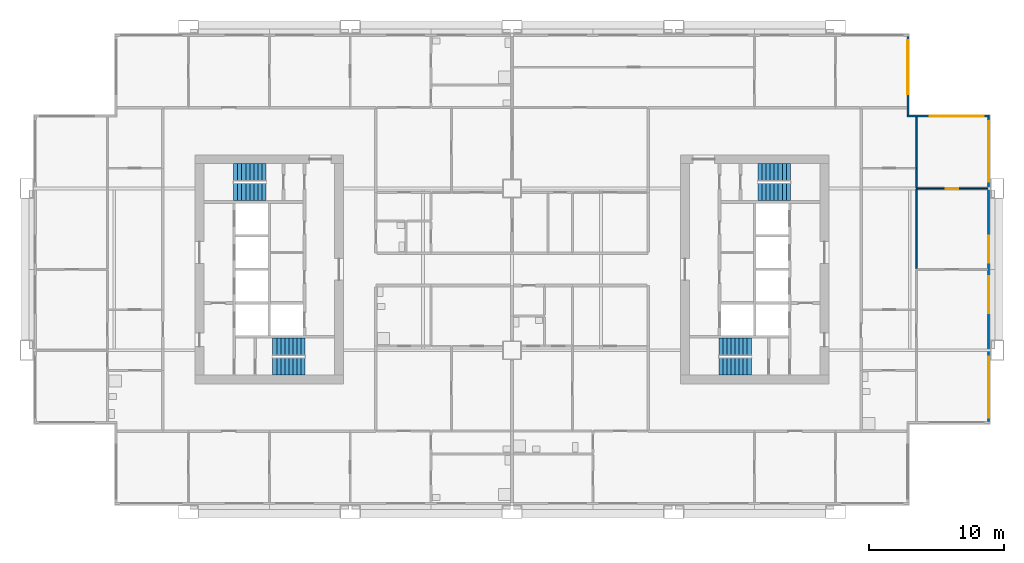
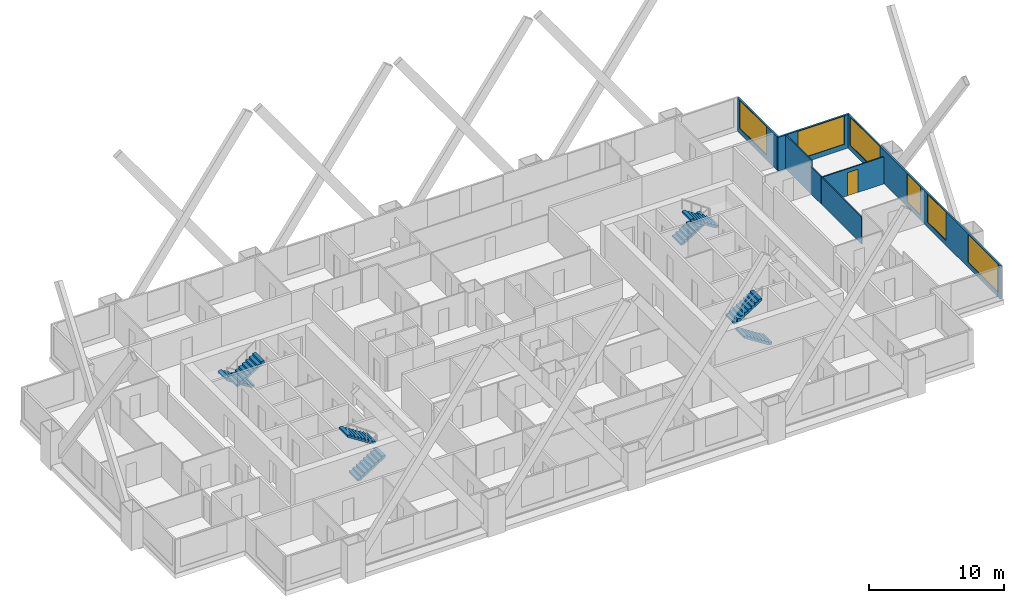
# One storey, part 9 of 11: 8 stair flights, 7 walls, 6 windows, 1 door, 7 openings, 4 elements without a shape of their own.
"""IFC4 building model written with IfcOpenShell, lengths in metres."""

from ifc_helpers import new_model, si_unit, direction, frame, frame_2d, origin, place, context, subcontext, project, spatial, polyline, rectangle, outline, extrude, material, layer, layer_set, type_object, element, fill, aggregate, save


model = new_model("IFC4")

# Units and contexts
model_context = context("Model", 3, precision=1e-05, world=origin(), true_north=direction((0.0, 1.0)))
body_context = subcontext(model_context, "Body", "Model", "MODEL_VIEW")
ifc_project = project(units=[si_unit("LENGTHUNIT", "METRE"), si_unit("AREAUNIT", "SQUARE_METRE"), si_unit("VOLUMEUNIT", "CUBIC_METRE"), si_unit("PLANEANGLEUNIT", "RADIAN"), si_unit("MASSUNIT", "GRAM", prefix="KILO")], contexts=[model_context])

# Site, building, storey
site_placement = place(None, origin())
site = spatial("IfcSite", under=ifc_project, at=site_placement, CompositionType="ELEMENT")
building_placement = place(site_placement, origin())
building = spatial("IfcBuilding", under=site, at=building_placement, Name="Kitamizu Gate Tower and Museum", CompositionType="ELEMENT")
storey_placement = place(building_placement, frame((0.0, 0.0, 96.60009765625)))
storey = spatial("IfcBuildingStorey", under=building, at=storey_placement, Name="L24", CompositionType="ELEMENT", Elevation=96.60009765625)

# Wall, opening, door
ifc_material_1 = material(Name="Gypsum board on galvanised stud")
ifc_layer_1 = layer(ifc_material_1, 0.10009765625)
ifc_layer_set_1 = layer_set([ifc_layer_1], Name="Gypsum board on galvanised stud")
wall_type_1 = type_object("IfcWallType", Name="Partition 100 NOT RATED", PredefinedType="PARTITIONING", material=ifc_layer_set_1)
wall_1_placement = place(storey_placement, frame((71.280029296875, 36.0, 0.0), z_axis=(0.0, 0.0, 1.0), x_axis=(-1.0, 0.0, 0.0)))
wall_1 = element("IfcWall", 1, at=wall_1_placement, inside=storey, type_object=wall_type_1, Name="Partition L24-079", PredefinedType="PARTITIONING", context=body_context, shape_type="SweptSolid", body=[
    extrude(rectangle(XDim=5.280029296875, YDim=0.10009765625, at=frame_2d((2.64013671875, 0.0))), origin(), (0.0, 0.0, 1.0), 2.449951171875),
])
opening_1_placement = place(wall_1_placement, frame((2.18994140625, 0.0, 0.0)))
opening_1 = element("IfcOpeningElement", 2, at=opening_1_placement, cuts=wall_1, Name="Opening L24-034", PredefinedType="OPENING", context=body_context, shape_type="SweptSolid", body=[
    extrude(rectangle(XDim=0.89990234375, YDim=2.10009765625, at=frame_2d((0.449951171875, 1.050048828125))), frame((0.0, 0.06005859375, 0.0), z_axis=(0.0, -1.0, 0.0), x_axis=(1.0, 0.0, 0.0)), (0.0, 0.0, 1.0), 0.1201171875),
])
ifc_material_2 = material(Name="Timber door set", Category="wood")
door_type = type_object("IfcDoorType", Name="Room door 900", OperationType="NOTDEFINED", PredefinedType="DOOR", material=ifc_material_2)
door_placement = place(opening_1_placement, frame((0.89990234375, 0.0, 0.0), x_axis=(-1.0, 0.0, 0.0)))
door = element("IfcDoor", 3, at=door_placement, inside=storey, type_object=door_type, Name="Door L24-034", OperationType="SINGLE_SWING_LEFT", OverallHeight=2.10009765625, OverallWidth=0.89990234375, PredefinedType="DOOR", context=body_context, shape_type="SweptSolid", body=[
    extrude(rectangle(XDim=0.89990234375, YDim=2.10009765625, at=frame_2d((0.449951171875, 1.050048828125))), frame((0.0, 0.02490234375, 0.0), z_axis=(0.0, -1.0, 0.0), x_axis=(1.0, 0.0, 0.0)), (0.0, 0.0, 1.0), 0.050048828125),
])
fill(opening_1, door)

# Walls
wall_2_placement = place(storey_placement, frame((66.0, 35.949951171875, 0.0), z_axis=(0.0, 0.0, 1.0), x_axis=(0.0, -1.0, 0.0)))
element("IfcWall", 4, at=wall_2_placement, inside=storey, type_object=wall_type_1, Name="Partition L24-080", PredefinedType="PARTITIONING", context=body_context, shape_type="SweptSolid", body=[
    extrude(rectangle(XDim=5.89990234375, YDim=0.10009765625, at=frame_2d((2.949951171875, 0.0))), origin(), (0.0, 0.0, 1.0), 2.449951171875),
])
wall_3_placement = place(storey_placement, frame((66.0, 37.5, 0.0), z_axis=(0.0, 0.0, 1.0), x_axis=(0.0, -1.0, 0.0)))
element("IfcWall", 5, at=wall_3_placement, inside=storey, type_object=wall_type_1, Name="Partition L24-081", PredefinedType="PARTITIONING", context=body_context, shape_type="SweptSolid", body=[
    extrude(rectangle(XDim=1.449951171875, YDim=0.10009765625, at=frame_2d((0.72509765625, 0.0))), origin(), (0.0, 0.0, 1.0), 2.449951171875),
])
wall_4_placement = place(storey_placement, frame((66.0, 41.280029296875, 0.0), z_axis=(0.0, 0.0, 1.0), x_axis=(0.0, -1.0, 0.0)))
element("IfcWall", 6, at=wall_4_placement, inside=storey, type_object=wall_type_1, Name="Partition L24-082", PredefinedType="PARTITIONING", context=body_context, shape_type="SweptSolid", body=[
    extrude(rectangle(XDim=3.780029296875, YDim=0.10009765625, at=frame_2d((1.89013671875, 0.0))), origin(), (0.0, 0.0, 1.0), 3.0498046875),
])

# Wall, openings, windows
ifc_material_3 = material(Name="Bronze anodised aluminium frame with insulated spandrel and tinted glass", Category="aluminium")
ifc_layer_2 = layer(ifc_material_3, 0.14990234375)
ifc_layer_set_2 = layer_set([ifc_layer_2], Name="Bronze anodised aluminium frame with insulated spandrel and tinted glass")
wall_type_2 = type_object("IfcWallType", Name="WINDOW WALL 150 BRONZE FRAME EI 30", PredefinedType="ELEMENTEDWALL", material=ifc_layer_set_2)
wall_5_placement = place(storey_placement, frame((71.364990234375, 18.7099609375, 0.0), z_axis=(0.0, 0.0, 1.0), x_axis=(0.0, 1.0, 0.0)))
wall_5 = element("IfcWall", 7, at=wall_5_placement, inside=storey, type_object=wall_type_2, Name="Window wall east L24", PredefinedType="ELEMENTEDWALL", context=body_context, shape_type="SweptSolid", body=[
    extrude(rectangle(XDim=22.580078125, YDim=0.14990234375, at=frame_2d((11.2900390625, 0.0))), origin(), (0.0, 0.0, 1.0), 3.0498046875),
])
opening_2_placement = place(wall_5_placement, frame((0.2900390625, 0.0, 0.449951171875)))
opening_2 = element("IfcOpeningElement", 8, at=opening_2_placement, cuts=wall_5, Name="Opening W15", PredefinedType="OPENING", context=body_context, shape_type="SweptSolid", body=[
    extrude(rectangle(XDim=4.5, YDim=2.550048828125, at=frame_2d((2.25, 1.27490234375))), frame((0.0, 0.0849609375, 0.0), z_axis=(0.0, -1.0, 0.0), x_axis=(1.0, 0.0, 0.0)), (0.0, 0.0, 1.0), 0.169921875),
])
opening_3_placement = place(wall_5_placement, frame((8.0400390625, 0.0, 0.449951171875)))
opening_3 = element("IfcOpeningElement", 9, at=opening_3_placement, cuts=wall_5, Name="Opening W32", PredefinedType="OPENING", context=body_context, shape_type="SweptSolid", body=[
    extrude(rectangle(XDim=2.75, YDim=2.550048828125, at=frame_2d((1.375, 1.27490234375))), frame((0.0, 0.0849609375, 0.0), z_axis=(0.0, -1.0, 0.0), x_axis=(1.0, 0.0, 0.0)), (0.0, 0.0, 1.0), 0.169921875),
])
opening_4_placement = place(wall_5_placement, frame((11.7900390625, 0.0, 0.449951171875)))
opening_4 = element("IfcOpeningElement", 10, at=opening_4_placement, cuts=wall_5, Name="Opening W2", PredefinedType="OPENING", context=body_context, shape_type="SweptSolid", body=[
    extrude(rectangle(XDim=2.0, YDim=2.550048828125, at=frame_2d((1.0, 1.27490234375))), frame((0.0, 0.0849609375, 0.0), z_axis=(0.0, -1.0, 0.0), x_axis=(1.0, 0.0, 0.0)), (0.0, 0.0, 1.0), 0.169921875),
])
opening_5_placement = place(wall_5_placement, frame((17.7900390625, 0.0, 0.449951171875)))
opening_5 = element("IfcOpeningElement", 11, at=opening_5_placement, cuts=wall_5, Name="Opening W15", PredefinedType="OPENING", context=body_context, shape_type="SweptSolid", body=[
    extrude(rectangle(XDim=4.5, YDim=2.550048828125, at=frame_2d((2.25, 1.27490234375))), frame((0.0, 0.0849609375, 0.0), z_axis=(0.0, -1.0, 0.0), x_axis=(1.0, 0.0, 0.0)), (0.0, 0.0, 1.0), 0.169921875),
])
ifc_material_4 = material(Name="Bronze anodised aluminium frame, tinted triple glazing", Category="aluminium")
window_type_1 = type_object("IfcWindowType", Name="WINDOW 2000 x 2550 SILL 450", PartitioningType="SINGLE_PANEL", PredefinedType="WINDOW", material=ifc_material_4)
window_1_placement = place(opening_4_placement, origin())
window_1 = element("IfcWindow", 12, at=window_1_placement, inside=storey, type_object=window_type_1, Name="Window W2 L24", OverallHeight=2.550048828125, OverallWidth=2.0, PartitioningType="SINGLE_PANEL", PredefinedType="WINDOW", context=body_context, shape_type="SweptSolid", body=[
    extrude(rectangle(XDim=2.0, YDim=2.550048828125, at=frame_2d((1.0, 1.27490234375))), frame((0.0, 0.030029296875, 0.0), z_axis=(0.0, -1.0, 0.0), x_axis=(1.0, 0.0, 0.0)), (0.0, 0.0, 1.0), 0.06005859375),
])
fill(opening_4, window_1)
ifc_material_5 = material(Name="Bronze anodised aluminium frame, tinted triple glazing", Category="aluminium")
window_type_2 = type_object("IfcWindowType", Name="WINDOW 2750 x 2550 SILL 450", PartitioningType="SINGLE_PANEL", PredefinedType="WINDOW", material=ifc_material_5)
window_2_placement = place(opening_3_placement, origin())
window_2 = element("IfcWindow", 13, at=window_2_placement, inside=storey, type_object=window_type_2, Name="Window W32 L24", OverallHeight=2.550048828125, OverallWidth=2.75, PartitioningType="SINGLE_PANEL", PredefinedType="WINDOW", context=body_context, shape_type="SweptSolid", body=[
    extrude(rectangle(XDim=2.75, YDim=2.550048828125, at=frame_2d((1.375, 1.27490234375))), frame((0.0, 0.030029296875, 0.0), z_axis=(0.0, -1.0, 0.0), x_axis=(1.0, 0.0, 0.0)), (0.0, 0.0, 1.0), 0.06005859375),
])
fill(opening_3, window_2)
ifc_material_6 = material(Name="Bronze anodised aluminium frame, tinted triple glazing", Category="aluminium")
window_type_3 = type_object("IfcWindowType", Name="WINDOW 4500 x 2550 SILL 450", PartitioningType="SINGLE_PANEL", PredefinedType="WINDOW", material=ifc_material_6)
window_3_placement = place(opening_2_placement, origin())
window_3 = element("IfcWindow", 14, at=window_3_placement, inside=storey, type_object=window_type_3, Name="Window W15 L24", OverallHeight=2.550048828125, OverallWidth=4.5, PartitioningType="SINGLE_PANEL", PredefinedType="WINDOW", context=body_context, shape_type="SweptSolid", body=[
    extrude(rectangle(XDim=4.5, YDim=2.550048828125, at=frame_2d((2.25, 1.27490234375))), frame((0.0, 0.030029296875, 0.0), z_axis=(0.0, -1.0, 0.0), x_axis=(1.0, 0.0, 0.0)), (0.0, 0.0, 1.0), 0.06005859375),
])
fill(opening_2, window_3)
window_4_placement = place(opening_5_placement, origin())
window_4 = element("IfcWindow", 15, at=window_4_placement, inside=storey, type_object=window_type_3, Name="Window W15 L24", OverallHeight=2.550048828125, OverallWidth=4.5, PartitioningType="SINGLE_PANEL", PredefinedType="WINDOW", context=body_context, shape_type="SweptSolid", body=[
    extrude(rectangle(XDim=4.5, YDim=2.550048828125, at=frame_2d((2.25, 1.27490234375))), frame((0.0, 0.030029296875, 0.0), z_axis=(0.0, -1.0, 0.0), x_axis=(1.0, 0.0, 0.0)), (0.0, 0.0, 1.0), 0.06005859375),
])
fill(opening_5, window_4)

# Wall, opening, window
wall_6_placement = place(storey_placement, frame((65.2900390625, 41.364990234375, 0.0), z_axis=(0.0, 0.0, 1.0), x_axis=(1.0, 0.0, 0.0)))
wall_6 = element("IfcWall", 16, at=wall_6_placement, inside=storey, type_object=wall_type_2, Name="Window wall north L24", PredefinedType="ELEMENTEDWALL", context=body_context, shape_type="SweptSolid", body=[
    extrude(rectangle(XDim=6.14990234375, YDim=0.14990234375, at=frame_2d((3.074951171875, 0.0))), origin(), (0.0, 0.0, 1.0), 3.0498046875),
])
opening_6_placement = place(wall_6_placement, frame((1.7099609375, 0.0, 0.449951171875)))
opening_6 = element("IfcOpeningElement", 17, at=opening_6_placement, cuts=wall_6, Name="Opening W16", PredefinedType="OPENING", context=body_context, shape_type="SweptSolid", body=[
    extrude(rectangle(XDim=4.0, YDim=2.550048828125, at=frame_2d((2.0, 1.27490234375))), frame((0.0, 0.0849609375, 0.0), z_axis=(0.0, -1.0, 0.0), x_axis=(1.0, 0.0, 0.0)), (0.0, 0.0, 1.0), 0.169921875),
])
ifc_material_7 = material(Name="Bronze anodised aluminium frame, tinted triple glazing", Category="aluminium")
window_type_4 = type_object("IfcWindowType", Name="WINDOW 4000 x 2550 SILL 450", PartitioningType="SINGLE_PANEL", PredefinedType="WINDOW", material=ifc_material_7)
window_5_placement = place(opening_6_placement, origin())
window_5 = element("IfcWindow", 18, at=window_5_placement, inside=storey, type_object=window_type_4, Name="Window W16 L24", OverallHeight=2.550048828125, OverallWidth=4.0, PartitioningType="SINGLE_PANEL", PredefinedType="WINDOW", context=body_context, shape_type="SweptSolid", body=[
    extrude(rectangle(XDim=4.0, YDim=2.550048828125, at=frame_2d((2.0, 1.27490234375))), frame((0.0, 0.030029296875, 0.0), z_axis=(0.0, -1.0, 0.0), x_axis=(1.0, 0.0, 0.0)), (0.0, 0.0, 1.0), 0.06005859375),
])
fill(opening_6, window_5)

wall_7_placement = place(storey_placement, frame((65.364990234375, 41.43994140625, 0.0), z_axis=(0.0, 0.0, 1.0), x_axis=(0.0, 1.0, 0.0)))
wall_7 = element("IfcWall", 19, at=wall_7_placement, inside=storey, type_object=wall_type_2, Name="Window wall east L24", PredefinedType="ELEMENTEDWALL", context=body_context, shape_type="SweptSolid", body=[
    extrude(rectangle(XDim=5.85009765625, YDim=0.14990234375, at=frame_2d((2.925048828125, 0.0))), origin(), (0.0, 0.0, 1.0), 3.0498046875),
])
opening_7_placement = place(wall_7_placement, frame((1.56005859375, 0.0, 0.449951171875)))
opening_7 = element("IfcOpeningElement", 20, at=opening_7_placement, cuts=wall_7, Name="Opening W16", PredefinedType="OPENING", context=body_context, shape_type="SweptSolid", body=[
    extrude(rectangle(XDim=4.0, YDim=2.550048828125, at=frame_2d((2.0, 1.27490234375))), frame((0.0, 0.0849609375, 0.0), z_axis=(0.0, -1.0, 0.0), x_axis=(1.0, 0.0, 0.0)), (0.0, 0.0, 1.0), 0.169921875),
])
window_6_placement = place(opening_7_placement, origin())
window_6 = element("IfcWindow", 21, at=window_6_placement, inside=storey, type_object=window_type_4, Name="Window W16 L24", OverallHeight=2.550048828125, OverallWidth=4.0, PartitioningType="SINGLE_PANEL", PredefinedType="WINDOW", context=body_context, shape_type="SweptSolid", body=[
    extrude(rectangle(XDim=4.0, YDim=2.550048828125, at=frame_2d((2.0, 1.27490234375))), frame((0.0, 0.030029296875, 0.0), z_axis=(0.0, -1.0, 0.0), x_axis=(1.0, 0.0, 0.0)), (0.0, 0.0, 1.0), 0.06005859375),
])
fill(opening_7, window_6)

# Stair, stair flights
ifc_material_8 = material(Name="Concrete Fc42", Category="concrete")
stair_type = type_object("IfcStairType", Name="Exit stair 1275 wide 192 rise 300 going", PredefinedType="HALF_TURN_STAIR", material=ifc_material_8)
stair_1_placement = place(storey_placement, origin())
stair_1 = element("IfcStair", 22, at=stair_1_placement, inside=storey, type_object=stair_type, Name="Exit stair ST1", PredefinedType="HALF_TURN_STAIR")
ifc_material_9 = material(Name="Concrete Fc42", Category="concrete")
stair_flight_type = type_object("IfcStairFlightType", Name="Stair flight 1275 wide 192 rise 300 going", PredefinedType="STRAIGHT", material=ifc_material_9)
stair_flight_1_placement = place(storey_placement, frame((18.25, 22.78759765625, 0.0), z_axis=(0.0, 0.0, 1.0), x_axis=(1.0, 0.0, 0.0)))
stair_flight_1 = element("IfcStairFlight", 23, at=stair_flight_1_placement, type_object=stair_flight_type, Name="ST1 flight 1", NumberOfRisers=9, NumberOfTreads=8, PredefinedType="STRAIGHT", RiserHeight=0.191666667, TreadLength=0.3, context=body_context, shape_type="SweptSolid", body=[
    extrude(outline(polyline([(0.0, 0.0), (0.0, 0.191650390625), (0.300048828125, 0.191650390625), (0.300048828125, 0.38330078125), (0.60009765625, 0.38330078125), (0.60009765625, 0.574951171875), (0.89990234375, 0.574951171875), (0.89990234375, 0.7666015625), (1.199951171875, 0.7666015625), (1.199951171875, 0.958251953125), (1.5, 0.958251953125), (1.5, 1.14990234375), (1.800048828125, 1.14990234375), (1.800048828125, 1.341552734375), (2.10009765625, 1.341552734375), (2.10009765625, 1.533447265625), (2.39990234375, 1.533447265625), (2.39990234375, 1.72509765625), (2.39990234375, 1.35546875), (0.2783203125, 0.0), (0.0, 0.0)])), frame((0.0, 0.637451171875, 0.0), z_axis=(0.0, -1.0, 0.0), x_axis=(1.0, 0.0, 0.0)), (0.0, 0.0, 1.0), 1.27490234375),
])
stair_flight_2_placement = place(storey_placement, frame((20.64990234375, 24.262451171875, 1.724853515625), z_axis=(0.0, 0.0, 1.0), x_axis=(-1.0, 0.0, 0.0)))
stair_flight_2 = element("IfcStairFlight", 24, at=stair_flight_2_placement, type_object=stair_flight_type, Name="ST1 flight 2", NumberOfRisers=9, NumberOfTreads=8, PredefinedType="STRAIGHT", RiserHeight=0.191666667, TreadLength=0.3, context=body_context, shape_type="SweptSolid", body=[
    extrude(outline(polyline([(0.0, 0.0), (0.0, 0.191650390625), (0.300048828125, 0.191650390625), (0.300048828125, 0.38330078125), (0.60009765625, 0.38330078125), (0.60009765625, 0.574951171875), (0.89990234375, 0.574951171875), (0.89990234375, 0.7666015625), (1.199951171875, 0.7666015625), (1.199951171875, 0.958251953125), (1.5, 0.958251953125), (1.5, 1.14990234375), (1.800048828125, 1.14990234375), (1.800048828125, 1.341552734375), (2.10009765625, 1.341552734375), (2.10009765625, 1.533447265625), (2.39990234375, 1.533447265625), (2.39990234375, 1.72509765625), (2.39990234375, 1.35546875), (0.2783203125, 0.0), (0.0, 0.0)])), frame((0.0, 0.637451171875, 0.0), z_axis=(0.0, -1.0, 0.0), x_axis=(1.0, 0.0, 0.0)), (0.0, 0.0, 1.0), 1.27490234375),
])
aggregate(stair_1, [stair_flight_1, stair_flight_2])

stair_2_placement = place(storey_placement, origin())
stair_2 = element("IfcStair", 25, at=stair_2_placement, inside=storey, type_object=stair_type, Name="Exit stair ST2", PredefinedType="HALF_TURN_STAIR")
stair_flight_3_placement = place(storey_placement, frame((17.75, 37.21240234375, 0.0), z_axis=(0.0, 0.0, 1.0), x_axis=(-1.0, 0.0, 0.0)))
stair_flight_3 = element("IfcStairFlight", 26, at=stair_flight_3_placement, type_object=stair_flight_type, Name="ST2 flight 1", NumberOfRisers=9, NumberOfTreads=8, PredefinedType="STRAIGHT", RiserHeight=0.191666667, TreadLength=0.3, context=body_context, shape_type="SweptSolid", body=[
    extrude(outline(polyline([(0.0, 0.0), (0.0, 0.191650390625), (0.300048828125, 0.191650390625), (0.300048828125, 0.38330078125), (0.60009765625, 0.38330078125), (0.60009765625, 0.574951171875), (0.89990234375, 0.574951171875), (0.89990234375, 0.7666015625), (1.199951171875, 0.7666015625), (1.199951171875, 0.958251953125), (1.5, 0.958251953125), (1.5, 1.14990234375), (1.800048828125, 1.14990234375), (1.800048828125, 1.341552734375), (2.10009765625, 1.341552734375), (2.10009765625, 1.533447265625), (2.39990234375, 1.533447265625), (2.39990234375, 1.72509765625), (2.39990234375, 1.35546875), (0.2783203125, 0.0), (0.0, 0.0)])), frame((0.0, 0.637451171875, 0.0), z_axis=(0.0, -1.0, 0.0), x_axis=(1.0, 0.0, 0.0)), (0.0, 0.0, 1.0), 1.27490234375),
])
stair_flight_4_placement = place(storey_placement, frame((15.35009765625, 35.737548828125, 1.724853515625), z_axis=(0.0, 0.0, 1.0), x_axis=(1.0, 0.0, 0.0)))
stair_flight_4 = element("IfcStairFlight", 27, at=stair_flight_4_placement, type_object=stair_flight_type, Name="ST2 flight 2", NumberOfRisers=9, NumberOfTreads=8, PredefinedType="STRAIGHT", RiserHeight=0.191666667, TreadLength=0.3, context=body_context, shape_type="SweptSolid", body=[
    extrude(outline(polyline([(0.0, 0.0), (0.0, 0.191650390625), (0.300048828125, 0.191650390625), (0.300048828125, 0.38330078125), (0.60009765625, 0.38330078125), (0.60009765625, 0.574951171875), (0.89990234375, 0.574951171875), (0.89990234375, 0.7666015625), (1.199951171875, 0.7666015625), (1.199951171875, 0.958251953125), (1.5, 0.958251953125), (1.5, 1.14990234375), (1.800048828125, 1.14990234375), (1.800048828125, 1.341552734375), (2.10009765625, 1.341552734375), (2.10009765625, 1.533447265625), (2.39990234375, 1.533447265625), (2.39990234375, 1.72509765625), (2.39990234375, 1.35546875), (0.2783203125, 0.0), (0.0, 0.0)])), frame((0.0, 0.637451171875, 0.0), z_axis=(0.0, -1.0, 0.0), x_axis=(1.0, 0.0, 0.0)), (0.0, 0.0, 1.0), 1.27490234375),
])
aggregate(stair_2, [stair_flight_3, stair_flight_4])

stair_3_placement = place(storey_placement, origin())
stair_3 = element("IfcStair", 28, at=stair_3_placement, inside=storey, type_object=stair_type, Name="Exit stair ST3", PredefinedType="HALF_TURN_STAIR")
stair_flight_5_placement = place(storey_placement, frame((53.75, 22.78759765625, 0.0), z_axis=(0.0, 0.0, 1.0), x_axis=(-1.0, 0.0, 0.0)))
stair_flight_5 = element("IfcStairFlight", 29, at=stair_flight_5_placement, type_object=stair_flight_type, Name="ST3 flight 1", NumberOfRisers=9, NumberOfTreads=8, PredefinedType="STRAIGHT", RiserHeight=0.191666667, TreadLength=0.3, context=body_context, shape_type="SweptSolid", body=[
    extrude(outline(polyline([(0.0, 0.0), (0.0, 0.191650390625), (0.300048828125, 0.191650390625), (0.300048828125, 0.38330078125), (0.60009765625, 0.38330078125), (0.60009765625, 0.574951171875), (0.89990234375, 0.574951171875), (0.89990234375, 0.7666015625), (1.199951171875, 0.7666015625), (1.199951171875, 0.958251953125), (1.5, 0.958251953125), (1.5, 1.14990234375), (1.800048828125, 1.14990234375), (1.800048828125, 1.341552734375), (2.10009765625, 1.341552734375), (2.10009765625, 1.533447265625), (2.39990234375, 1.533447265625), (2.39990234375, 1.72509765625), (2.39990234375, 1.35546875), (0.2783203125, 0.0), (0.0, 0.0)])), frame((0.0, 0.637451171875, 0.0), z_axis=(0.0, -1.0, 0.0), x_axis=(1.0, 0.0, 0.0)), (0.0, 0.0, 1.0), 1.27490234375),
])
stair_flight_6_placement = place(storey_placement, frame((51.35009765625, 24.262451171875, 1.724853515625), z_axis=(0.0, 0.0, 1.0), x_axis=(1.0, 0.0, 0.0)))
stair_flight_6 = element("IfcStairFlight", 30, at=stair_flight_6_placement, type_object=stair_flight_type, Name="ST3 flight 2", NumberOfRisers=9, NumberOfTreads=8, PredefinedType="STRAIGHT", RiserHeight=0.191666667, TreadLength=0.3, context=body_context, shape_type="SweptSolid", body=[
    extrude(outline(polyline([(0.0, 0.0), (0.0, 0.191650390625), (0.300048828125, 0.191650390625), (0.300048828125, 0.38330078125), (0.60009765625, 0.38330078125), (0.60009765625, 0.574951171875), (0.89990234375, 0.574951171875), (0.89990234375, 0.7666015625), (1.199951171875, 0.7666015625), (1.199951171875, 0.958251953125), (1.5, 0.958251953125), (1.5, 1.14990234375), (1.800048828125, 1.14990234375), (1.800048828125, 1.341552734375), (2.10009765625, 1.341552734375), (2.10009765625, 1.533447265625), (2.39990234375, 1.533447265625), (2.39990234375, 1.72509765625), (2.39990234375, 1.35546875), (0.2783203125, 0.0), (0.0, 0.0)])), frame((0.0, 0.637451171875, 0.0), z_axis=(0.0, -1.0, 0.0), x_axis=(1.0, 0.0, 0.0)), (0.0, 0.0, 1.0), 1.27490234375),
])
aggregate(stair_3, [stair_flight_5, stair_flight_6])

stair_4_placement = place(storey_placement, origin())
stair_4 = element("IfcStair", 31, at=stair_4_placement, inside=storey, type_object=stair_type, Name="Exit stair ST4", PredefinedType="HALF_TURN_STAIR")
stair_flight_7_placement = place(storey_placement, frame((54.25, 37.21240234375, 0.0), z_axis=(0.0, 0.0, 1.0), x_axis=(1.0, 0.0, 0.0)))
stair_flight_7 = element("IfcStairFlight", 32, at=stair_flight_7_placement, type_object=stair_flight_type, Name="ST4 flight 1", NumberOfRisers=9, NumberOfTreads=8, PredefinedType="STRAIGHT", RiserHeight=0.191666667, TreadLength=0.3, context=body_context, shape_type="SweptSolid", body=[
    extrude(outline(polyline([(0.0, 0.0), (0.0, 0.191650390625), (0.300048828125, 0.191650390625), (0.300048828125, 0.38330078125), (0.60009765625, 0.38330078125), (0.60009765625, 0.574951171875), (0.89990234375, 0.574951171875), (0.89990234375, 0.7666015625), (1.199951171875, 0.7666015625), (1.199951171875, 0.958251953125), (1.5, 0.958251953125), (1.5, 1.14990234375), (1.800048828125, 1.14990234375), (1.800048828125, 1.341552734375), (2.10009765625, 1.341552734375), (2.10009765625, 1.533447265625), (2.39990234375, 1.533447265625), (2.39990234375, 1.72509765625), (2.39990234375, 1.35546875), (0.2783203125, 0.0), (0.0, 0.0)])), frame((0.0, 0.637451171875, 0.0), z_axis=(0.0, -1.0, 0.0), x_axis=(1.0, 0.0, 0.0)), (0.0, 0.0, 1.0), 1.27490234375),
])
stair_flight_8_placement = place(storey_placement, frame((56.64990234375, 35.737548828125, 1.724853515625), z_axis=(0.0, 0.0, 1.0), x_axis=(-1.0, 0.0, 0.0)))
stair_flight_8 = element("IfcStairFlight", 33, at=stair_flight_8_placement, type_object=stair_flight_type, Name="ST4 flight 2", NumberOfRisers=9, NumberOfTreads=8, PredefinedType="STRAIGHT", RiserHeight=0.191666667, TreadLength=0.3, context=body_context, shape_type="SweptSolid", body=[
    extrude(outline(polyline([(0.0, 0.0), (0.0, 0.191650390625), (0.300048828125, 0.191650390625), (0.300048828125, 0.38330078125), (0.60009765625, 0.38330078125), (0.60009765625, 0.574951171875), (0.89990234375, 0.574951171875), (0.89990234375, 0.7666015625), (1.199951171875, 0.7666015625), (1.199951171875, 0.958251953125), (1.5, 0.958251953125), (1.5, 1.14990234375), (1.800048828125, 1.14990234375), (1.800048828125, 1.341552734375), (2.10009765625, 1.341552734375), (2.10009765625, 1.533447265625), (2.39990234375, 1.533447265625), (2.39990234375, 1.72509765625), (2.39990234375, 1.35546875), (0.2783203125, 0.0), (0.0, 0.0)])), frame((0.0, 0.637451171875, 0.0), z_axis=(0.0, -1.0, 0.0), x_axis=(1.0, 0.0, 0.0)), (0.0, 0.0, 1.0), 1.27490234375),
])
aggregate(stair_4, [stair_flight_7, stair_flight_8])

save(model, "model.ifc")
